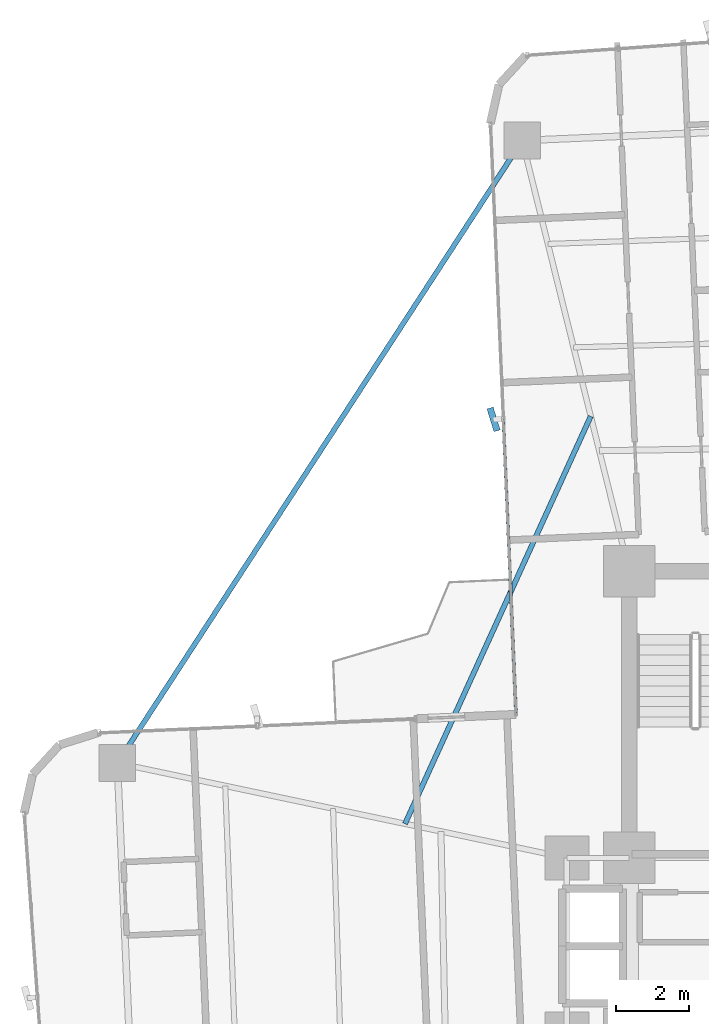
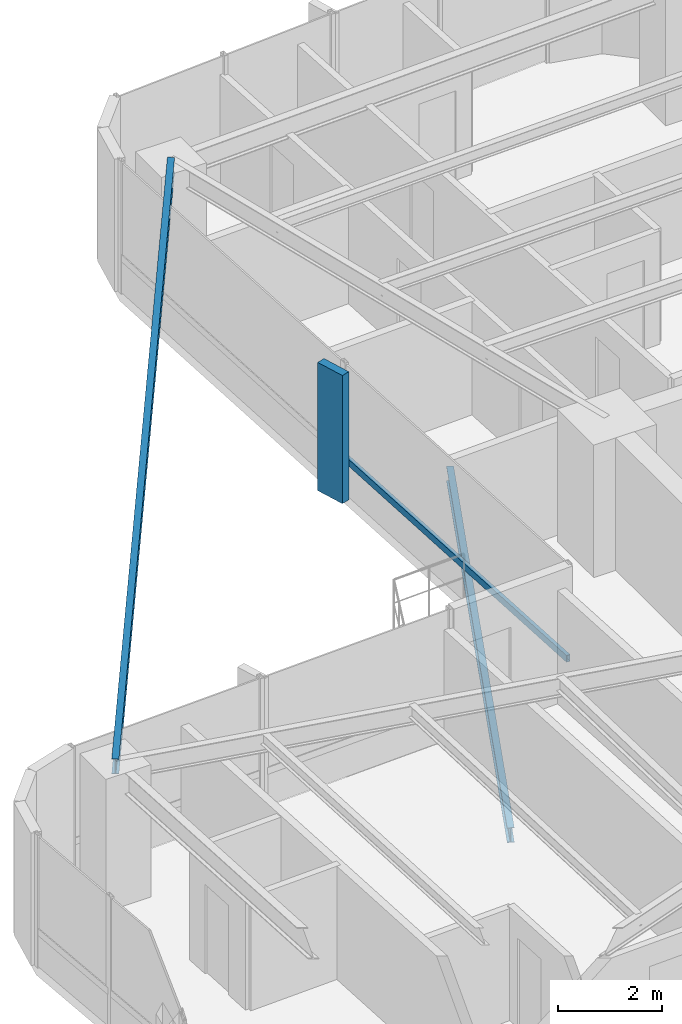
# One storey, part 16 of 26: 2 beams, 2 members, 1 element without a shape of its own.
"""IFC4 building model written with IfcOpenShell, lengths in metres."""

from ifc_helpers import new_model, si_unit, direction, frame, origin, origin_2d, place, context, subcontext, project, spatial, rectangle, hollow_rectangle, i_section, extrude, source, transform, mapped, material, material_profile, profile_set, type_object, element, aggregate, save


model = new_model("IFC4")

# Units and contexts
model_context = context("Model", 3, precision=1e-05, world=origin(), true_north=direction((0.0, 1.0)))
body_context = subcontext(model_context, "Body", "Model", "MODEL_VIEW")
ifc_project = project(units=[si_unit("LENGTHUNIT", "METRE"), si_unit("AREAUNIT", "SQUARE_METRE"), si_unit("VOLUMEUNIT", "CUBIC_METRE"), si_unit("PLANEANGLEUNIT", "RADIAN"), si_unit("MASSUNIT", "GRAM", prefix="KILO")], contexts=[model_context])

# Site, building, storey
site_placement = place(None, origin())
site = spatial("IfcSite", under=ifc_project, at=site_placement, CompositionType="ELEMENT")
building_placement = place(site_placement, origin())
building = spatial("IfcBuilding", under=site, at=building_placement, Name="Sahyath Konkavel Grand Hotel", CompositionType="ELEMENT")
storey_placement = place(building_placement, frame((0.0, 0.0, 131.550048828125)))
storey = spatial("IfcBuildingStorey", under=building, at=storey_placement, Name="L36", CompositionType="ELEMENT", Elevation=131.550048828125)

# Beam
ifc_material_1 = material(Name="Steel E350", Category="steel")
ifc_material_profile_1 = material_profile(ifc_material_1, i_section(OverallWidth=0.139892578125, OverallDepth=0.35009765625, WebThickness=0.008056640625, FlangeThickness=0.01416015625, FilletRadius=0.013916015625, at=origin_2d()), Name="ISMB 350")
ifc_profile_set_1 = profile_set([ifc_material_profile_1], Name="Steel E350")
beam_type_1 = type_object("IfcBeamType", Name="BM-ISMB350", PredefinedType="BEAM", material=ifc_profile_set_1)
shared_shape_1 = source(origin(), body_context, "Body", "SweptSolid", [
    extrude(i_section(OverallWidth=0.139892578125, OverallDepth=0.35009765625, WebThickness=0.008056640625, FlangeThickness=0.01416015625, FilletRadius=0.013916015625, at=origin_2d()), origin(), (0.0, 0.0, 1.0), 20.21533203125),
])
beam_1_placement = place(storey_placement, frame((-6.712890625, 21.927978515625, 2.93505859375), z_axis=(-0.545191244931, -0.838311700056, 0.0), x_axis=(0.838311700056, -0.545191244931, 0.0)))
element("IfcBeam", 1, at=beam_1_placement, inside=storey, type_object=beam_type_1, Name="L36 Re-Entrant Tie Beam NW", PredefinedType="BEAM", context=body_context, shape_type="MappedRepresentation", body=[
    mapped(shared_shape_1, transform((0.0, 0.0, 0.0), scale=1.0)),
])

# Curtain wall, members
ifc_material_2 = material(Name="Anodised Bronze Aluminium & Low-E Glazing", Category="aluminium")
curtain_wall_type = type_object("IfcCurtainWallType", Name="CW-ZONE2", PredefinedType="NOTDEFINED", material=ifc_material_2)
curtain_wall_placement = place(storey_placement, origin())
curtain_wall = element("IfcCurtainWall", 2, at=curtain_wall_placement, inside=storey, type_object=curtain_wall_type, Name="L36 Unitised Curtain Wall F15", PredefinedType="NOTDEFINED")
ifc_material_3 = material(Name="Warm Buff Sandstone Cladding on Concrete C50/60", Category="masonry")
ifc_material_profile_2 = material_profile(ifc_material_3, rectangle(XDim=0.179931640625, YDim=0.64990234375, at=origin_2d()), Name="FIN 180x650")
ifc_profile_set_2 = profile_set([ifc_material_profile_2], Name="Warm Buff Sandstone Cladding on Concrete C50/60")
member_type_1 = type_object("IfcMemberType", Name="FIN-SANDSTONE-650", PredefinedType="MULLION", material=ifc_profile_set_2)
shared_shape_2 = source(origin(), body_context, "Body", "SweptSolid", [
    extrude(rectangle(XDim=0.179931640625, YDim=0.64990234375, at=origin_2d()), origin(), (0.0, 0.0, 1.0), 3.010009765625),
])
member_1_placement = place(storey_placement, frame((-7.492431640625, 14.3369140625, 0.050048828125), z_axis=(0.0, 0.0, 1.0), x_axis=(0.955278362122, 0.295708050044, 0.0)))
member_1 = element("IfcMember", 3, at=member_1_placement, type_object=member_type_1, Name="L36 Sandstone Vertical Solar Fin FIN F15-1", PredefinedType="MULLION", context=body_context, shape_type="MappedRepresentation", body=[
    mapped(shared_shape_2, transform((0.0, 0.0, 0.0), scale=1.0)),
])
ifc_material_4 = material(Name="Anodised Bronze Aluminium", Category="aluminium")
ifc_material_profile_3 = material_profile(ifc_material_4, hollow_rectangle(XDim=0.080078125, YDim=0.159912109375, WallThickness=0.006103515625, at=origin_2d()), Name="RHS 160x80x6")
ifc_profile_set_3 = profile_set([ifc_material_profile_3], Name="Anodised Bronze Aluminium")
member_type_2 = type_object("IfcMemberType", Name="CW-TRN-160", PredefinedType="USERDEFINED", material=ifc_profile_set_3)
shared_shape_3 = source(origin(), body_context, "Body", "SweptSolid", [
    extrude(hollow_rectangle(XDim=0.080078125, YDim=0.159912109375, WallThickness=0.006103515625, at=origin_2d()), origin(), (0.0, 0.0, 1.0), 8.010009765625),
])
member_2_placement = place(storey_placement, frame((-7.232666015625, 14.34814453125, 0.849853515625), z_axis=(0.043615785896, -0.999048378819, 0.0), x_axis=(0.999048378819, 0.043615785896, 0.0)))
member_2 = element("IfcMember", 4, at=member_2_placement, type_object=member_type_2, Name="L36 Curtain Wall Transom F15-1-spandrel", ObjectType="TRANSOM", PredefinedType="USERDEFINED", context=body_context, shape_type="MappedRepresentation", body=[
    mapped(shared_shape_3, transform((0.0, 0.0, 0.0), scale=1.0)),
])
aggregate(curtain_wall, [member_1, member_2])

# Beam
ifc_material_profile_4 = material_profile(ifc_material_1, i_section(OverallWidth=0.139892578125, OverallDepth=0.35009765625, WebThickness=0.008056640625, FlangeThickness=0.01416015625, FilletRadius=0.013916015625, at=origin_2d()), Name="ISMB 350")
ifc_profile_set_4 = profile_set([ifc_material_profile_4], Name="Steel E350")
beam_type_2 = type_object("IfcBeamType", Name="BM-BALC-CANT", PredefinedType="BEAM", material=ifc_profile_set_4)
shared_shape_4 = source(origin(), body_context, "Body", "SweptSolid", [
    extrude(i_section(OverallWidth=0.139892578125, OverallDepth=0.35009765625, WebThickness=0.008056640625, FlangeThickness=0.01416015625, FilletRadius=0.013916015625, at=origin_2d()), origin(), (0.0, 0.0, 1.0), 12.190673828125),
])
beam_2_placement = place(storey_placement, frame((-4.8486328125, 14.422119140625, -0.4150390625), z_axis=(-0.414712580086, -0.909952458054, 0.0), x_axis=(0.909952458054, -0.414712580086, 0.0)))
element("IfcBeam", 5, at=beam_2_placement, inside=storey, type_object=beam_type_2, Name="L36 Balcony Cantilever Support Beam NW", PredefinedType="BEAM", context=body_context, shape_type="MappedRepresentation", body=[
    mapped(shared_shape_4, transform((0.0, 0.0, 0.0), scale=1.0)),
])

save(model, "model.ifc")
